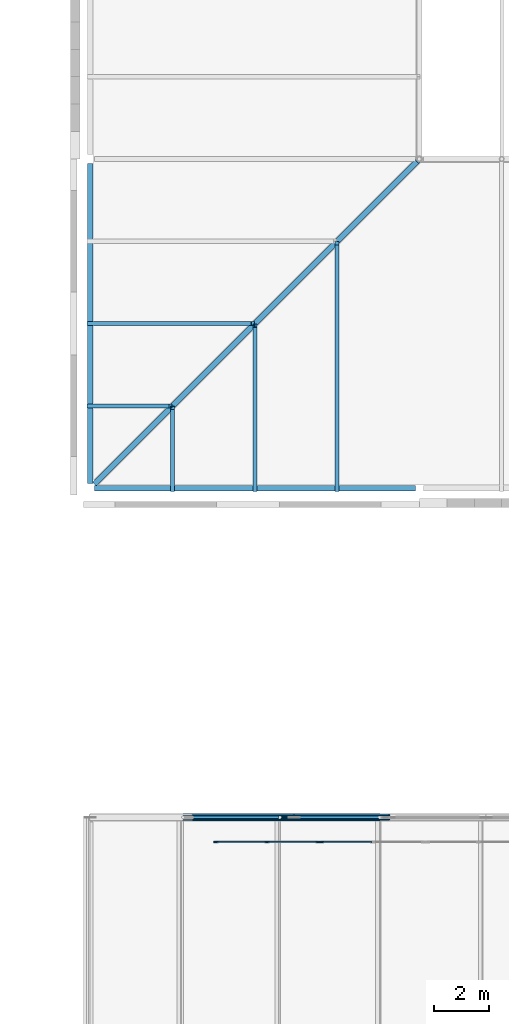
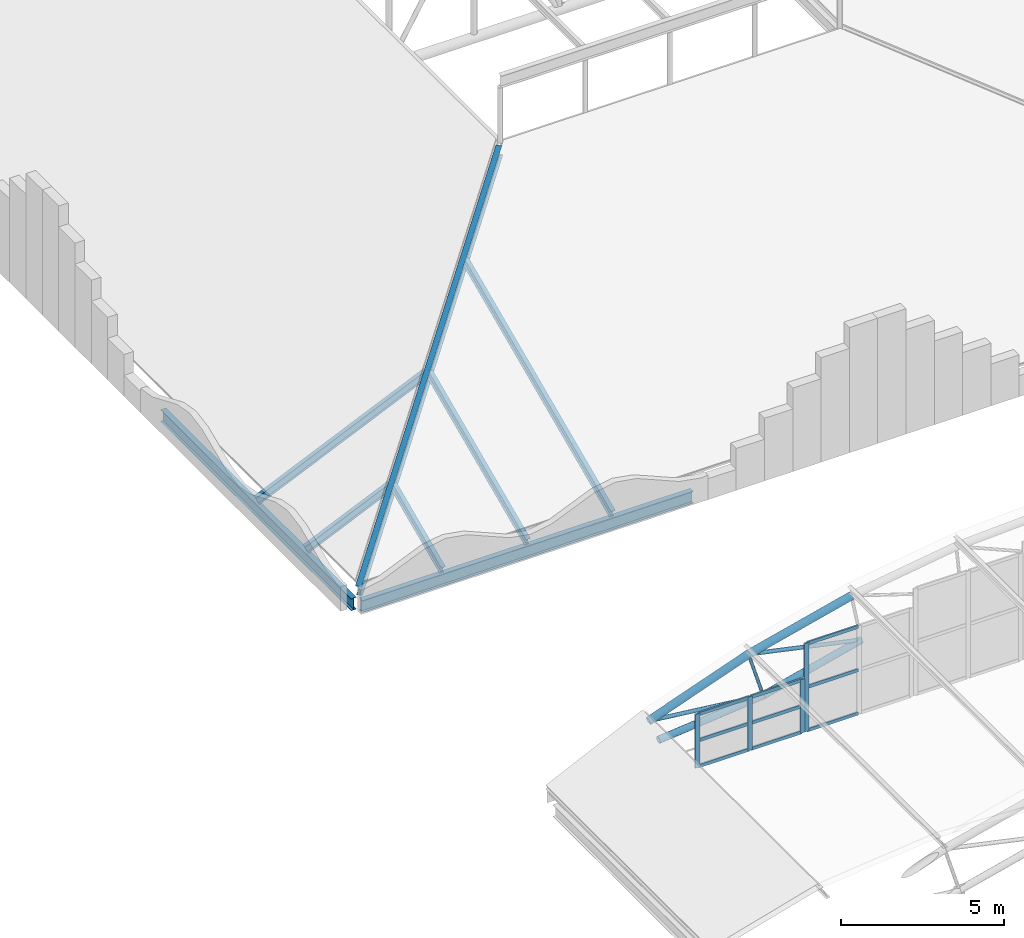
# One storey, part 217 of 321: 25 members, 3 beams, 2 elements without a shape of their own.
"""IFC4 building model written with IfcOpenShell, lengths in metres."""

from ifc_helpers import new_model, si_unit, direction, frame, origin, origin_2d, place, context, subcontext, project, spatial, rectangle, hollow_circle, i_section, extrude, material, layer, layer_set, material_profile, profile_set, type_object, element, aggregate, save


model = new_model("IFC4")

# Units and contexts
model_context = context("Model", 3, precision=1e-05, world=origin(), true_north=direction((0.0, 1.0)))
body_context = subcontext(model_context, "Body", "Model", "MODEL_VIEW")
ifc_project = project(units=[si_unit("LENGTHUNIT", "METRE"), si_unit("AREAUNIT", "SQUARE_METRE"), si_unit("VOLUMEUNIT", "CUBIC_METRE"), si_unit("PLANEANGLEUNIT", "RADIAN"), si_unit("MASSUNIT", "GRAM", prefix="KILO")], contexts=[model_context])

# Site, building, storey
site_placement = place(None, origin())
site = spatial("IfcSite", under=ifc_project, at=site_placement, CompositionType="ELEMENT")
building_placement = place(site_placement, origin())
building = spatial("IfcBuilding", under=site, at=building_placement, Name="Ravi Spectrum Wholesale Market", CompositionType="ELEMENT")
storey_placement = place(building_placement, frame((0.0, 0.0, 10.800048828125)))
storey = spatial("IfcBuildingStorey", under=building, at=storey_placement, Name="L02", CompositionType="ELEMENT", Elevation=10.800048828125)

# Members
ifc_material_1 = material(Name="Steel S355", Category="steel")
ifc_material_profile_1 = material_profile(ifc_material_1, hollow_circle(Radius=0.05712890625, WallThickness=0.00390625, at=origin_2d()))
ifc_profile_set_1 = profile_set([ifc_material_profile_1], Name="Steel S355")
member_type_1 = type_object("IfcMemberType", Name="CHS 114.3x4 post", PredefinedType="POST", material=ifc_profile_set_1)
member_1_placement = place(storey_placement, frame((168.916748046875, 186.0, 2.859130859375), z_axis=(0.28969871245, 0.0, -0.957117890338), x_axis=(0.0, 1.0, 0.0)))
element("IfcMember", 1, at=member_1_placement, inside=storey, type_object=member_type_1, Name="H3-MB-L02-182", PredefinedType="POST", context=body_context, shape_type="SweptSolid", body=[
    extrude(hollow_circle(Radius=0.05712890625, WallThickness=0.00390625, at=origin_2d()), origin(), (0.0, 0.0, 1.0), 1.800048828125),
])
ifc_material_2 = material(Name="Steel S355", Category="steel")
ifc_material_profile_2 = material_profile(ifc_material_2, hollow_circle(Radius=0.06982421875, WallThickness=0.0048828125, at=origin_2d()))
ifc_profile_set_2 = profile_set([ifc_material_profile_2], Name="Steel S355")
member_type_2 = type_object("IfcMemberType", Name="CHS 139.7x5 brace", PredefinedType="BRACE", material=ifc_profile_set_2)
for number, where, z_axis, x_axis, name in (
    (2, (165.38818359375, 186.0, 1.59912109375), (0.993531900469, 0.0, -0.113553347597), (0.0, 1.0, 0.0), "H3-MB-L02-190"),
    (3, (168.916748046875, 186.0, 2.859130859375), (0.977654929292, 0.0, -0.210216172618), (0.0, 1.0, 0.0), "H3-MB-L02-191"),
):
    element("IfcMember", number, at=place(storey_placement, frame(where, z_axis=z_axis, x_axis=x_axis)), inside=storey, type_object=member_type_2, Name=name, PredefinedType="BRACE", context=body_context, shape_type="SweptSolid", body=[
        extrude(hollow_circle(Radius=0.06982421875, WallThickness=0.0048828125, at=origin_2d()), origin(), (0.0, 0.0, 1.0), 4.076416015625),
    ])
ifc_material_3 = material(Name="Steel S355", Category="steel")
ifc_material_profile_3 = material_profile(ifc_material_3, hollow_circle(Radius=0.122314453125, WallThickness=0.008056640625, at=origin_2d()))
ifc_profile_set_3 = profile_set([ifc_material_profile_3], Name="Steel S355")
member_type_3 = type_object("IfcMemberType", Name="CHS 244.5x8 chord", PredefinedType="CHORD", material=ifc_profile_set_3)
member_2_placement = place(storey_placement, frame((165.732177734375, 186.0, 0.767333984375), z_axis=(0.995082518714, 0.0, 0.099049386415), x_axis=(0.0, 1.0, 0.0)))
element("IfcMember", 4, at=member_2_placement, inside=storey, type_object=member_type_3, Name="H3-MB-L02-172", PredefinedType="CHORD", context=body_context, shape_type="SweptSolid", body=[
    extrude(hollow_circle(Radius=0.122314453125, WallThickness=0.008056640625, at=origin_2d()), origin(), (0.0, 0.0, 1.0), 3.724365234375),
])
member_3_placement = place(storey_placement, frame((169.438232421875, 186.0, 1.13623046875), z_axis=(0.970142500145, 0.0, 0.242535625036), x_axis=(0.0, 1.0, 0.0)))
element("IfcMember", 5, at=member_3_placement, inside=storey, type_object=member_type_3, Name="H3-MB-L02-173", PredefinedType="CHORD", context=body_context, shape_type="SweptSolid", body=[
    extrude(hollow_circle(Radius=0.122314453125, WallThickness=0.008056640625, at=origin_2d()), origin(), (0.0, 0.0, 1.0), 3.570556640625),
])
ifc_material_4 = material(Name="Steel S355", Category="steel")
ifc_material_profile_4 = material_profile(ifc_material_4, hollow_circle(Radius=0.136474609375, WallThickness=0.010009765625, at=origin_2d()))
ifc_profile_set_4 = profile_set([ifc_material_profile_4], Name="Steel S355")
member_type_4 = type_object("IfcMemberType", Name="CHS 273x10 chord", PredefinedType="CHORD", material=ifc_profile_set_4)
member_4_placement = place(storey_placement, frame((165.38818359375, 186.0, 1.59912109375), z_axis=(0.941758126801, 0.0, 0.336290990965), x_axis=(0.0, 1.0, 0.0)))
element("IfcMember", 6, at=member_4_placement, inside=storey, type_object=member_type_4, Name="H3-MB-L02-162", PredefinedType="CHORD", context=body_context, shape_type="SweptSolid", body=[
    extrude(hollow_circle(Radius=0.136474609375, WallThickness=0.010009765625, at=origin_2d()), origin(), (0.0, 0.0, 1.0), 3.746826171875),
])
member_5_placement = place(storey_placement, frame((168.916748046875, 186.0, 2.859130859375), z_axis=(0.970142500145, 0.0, 0.242535625036), x_axis=(0.0, 1.0, 0.0)))
element("IfcMember", 7, at=member_5_placement, inside=storey, type_object=member_type_4, Name="H3-MB-L02-163", PredefinedType="CHORD", context=body_context, shape_type="SweptSolid", body=[
    extrude(hollow_circle(Radius=0.136474609375, WallThickness=0.010009765625, at=origin_2d()), origin(), (0.0, 0.0, 1.0), 3.74658203125),
])
ifc_material_5 = material(Name="Steel S355", Category="steel")
ifc_material_profile_5 = material_profile(ifc_material_5, i_section(OverallWidth=0.14990234375, OverallDepth=0.300048828125, WebThickness=0.007080078125, FlangeThickness=0.0107421875, at=origin_2d()))
ifc_profile_set_5 = profile_set([ifc_material_profile_5], Name="Steel S355")
member_type_5 = type_object("IfcMemberType", Name="IPE 300 rafter", PredefinedType="RAFTER", material=ifc_profile_set_5)
member_6_placement = place(storey_placement, frame((161.93896484375, 201.0, 0.136962890625), z_axis=(0.913620578719, 0.0, 0.406567876426), x_axis=(0.0, 1.0, 0.0)))
element("IfcMember", 8, at=member_6_placement, inside=storey, type_object=member_type_5, Name="AU-MB-L02-037", PredefinedType="RAFTER", context=body_context, shape_type="SweptSolid", body=[
    extrude(i_section(OverallWidth=0.14990234375, OverallDepth=0.300048828125, WebThickness=0.007080078125, FlangeThickness=0.0107421875, at=origin_2d()), origin(), (0.0, 0.0, 1.0), 3.270263671875),
])
member_7_placement = place(storey_placement, frame((161.93896484375, 204.0, 0.136962890625), z_axis=(0.913624043006, 0.0, 0.40656009155), x_axis=(0.0, 1.0, 0.0)))
element("IfcMember", 9, at=member_7_placement, inside=storey, type_object=member_type_5, Name="AU-MB-L02-039", PredefinedType="RAFTER", context=body_context, shape_type="SweptSolid", body=[
    extrude(i_section(OverallWidth=0.14990234375, OverallDepth=0.300048828125, WebThickness=0.007080078125, FlangeThickness=0.0107421875, at=origin_2d()), origin(), (0.0, 0.0, 1.0), 6.553955078125),
])
member_8_placement = place(storey_placement, frame((165.0, 197.93896484375, 0.136962890625), z_axis=(0.0, 0.913620578719, 0.406567876426), x_axis=(-1.0, 0.0, 0.0)))
element("IfcMember", 10, at=member_8_placement, inside=storey, type_object=member_type_5, Name="AU-MB-L02-055", PredefinedType="RAFTER", context=body_context, shape_type="SweptSolid", body=[
    extrude(i_section(OverallWidth=0.14990234375, OverallDepth=0.300048828125, WebThickness=0.007080078125, FlangeThickness=0.0107421875, at=origin_2d()), origin(), (0.0, 0.0, 1.0), 3.270263671875),
])
member_9_placement = place(storey_placement, frame((168.0, 197.93896484375, 0.136962890625), z_axis=(0.0, 0.913624043006, 0.40656009155), x_axis=(-1.0, 0.0, 0.0)))
element("IfcMember", 11, at=member_9_placement, inside=storey, type_object=member_type_5, Name="AU-MB-L02-057", PredefinedType="RAFTER", context=body_context, shape_type="SweptSolid", body=[
    extrude(i_section(OverallWidth=0.14990234375, OverallDepth=0.300048828125, WebThickness=0.007080078125, FlangeThickness=0.0107421875, at=origin_2d()), origin(), (0.0, 0.0, 1.0), 6.553955078125),
])
member_10_placement = place(storey_placement, frame((171.0, 197.93896484375, 0.136962890625), z_axis=(0.0, 0.913615976302, 0.406578218606), x_axis=(-1.0, 0.0, 0.0)))
element("IfcMember", 12, at=member_10_placement, inside=storey, type_object=member_type_5, Name="AU-MB-L02-059", PredefinedType="RAFTER", context=body_context, shape_type="SweptSolid", body=[
    extrude(i_section(OverallWidth=0.14990234375, OverallDepth=0.300048828125, WebThickness=0.007080078125, FlangeThickness=0.0107421875, at=origin_2d()), origin(), (0.0, 0.0, 1.0), 9.837646484375),
])

# Beams
ifc_material_6 = material(Name="Steel S355", Category="steel")
ifc_material_profile_6 = material_profile(ifc_material_6, i_section(OverallWidth=0.18994140625, OverallDepth=0.449951171875, WebThickness=0.009521484375, FlangeThickness=0.0146484375, at=origin_2d()))
ifc_profile_set_6 = profile_set([ifc_material_profile_6], Name="Steel S355")
beam_type = type_object("IfcBeamType", Name="IPE 450 girder", PredefinedType="BEAM", material=ifc_profile_set_6)
beam_1_placement = place(storey_placement, frame((162.14990234375, 198.0, -0.22509765625), z_axis=(1.0, 0.0, 0.0), x_axis=(0.0, 1.0, 0.0)))
element("IfcBeam", 13, at=beam_1_placement, inside=storey, type_object=beam_type, Name="AU-BM-L02-001", PredefinedType="BEAM", context=body_context, shape_type="SweptSolid", body=[
    extrude(i_section(OverallWidth=0.18994140625, OverallDepth=0.449951171875, WebThickness=0.009521484375, FlangeThickness=0.0146484375, at=origin_2d()), origin(), (0.0, 0.0, 1.0), 11.7001953125),
])
beam_2_placement = place(storey_placement, frame((162.0, 198.169921875, -0.22509765625), z_axis=(0.0, 1.0, 0.0), x_axis=(-1.0, 0.0, 0.0)))
element("IfcBeam", 14, at=beam_2_placement, inside=storey, type_object=beam_type, Name="AU-BM-L02-010", PredefinedType="BEAM", context=body_context, shape_type="SweptSolid", body=[
    extrude(i_section(OverallWidth=0.18994140625, OverallDepth=0.449951171875, WebThickness=0.009521484375, FlangeThickness=0.0146484375, at=origin_2d()), origin(), (0.0, 0.0, 1.0), 11.66015625),
])
beam_3_placement = place(storey_placement, frame((162.19775390625, 198.19775390625, 0.180419921875), z_axis=(0.674499456872, 0.674499456872, 0.300168228429), x_axis=(-0.707106781187, 0.707106781187, 0.0)))
element("IfcBeam", 15, at=beam_3_placement, inside=storey, type_object=beam_type, Name="AU-BM-L02-016", PredefinedType="BEAM", context=body_context, shape_type="SweptSolid", body=[
    extrude(i_section(OverallWidth=0.18994140625, OverallDepth=0.449951171875, WebThickness=0.009521484375, FlangeThickness=0.0146484375, at=origin_2d()), origin(), (0.0, 0.0, 1.0), 17.427490234375),
])

# Curtain wall, members
ifc_material_7 = material(Name="Aluminium 6063-T6", Category="aluminium")
ifc_layer = layer(ifc_material_7, 0.14990234375)
ifc_layer_set = layer_set([ifc_layer], Name="Aluminium 6063-T6")
curtain_wall_type = type_object("IfcCurtainWallType", Name="Curtain wall 150", PredefinedType="NOTDEFINED", material=ifc_layer_set)
curtain_wall_1_placement = place(storey_placement, origin())
curtain_wall_1 = element("IfcCurtainWall", 16, at=curtain_wall_1_placement, inside=storey, type_object=curtain_wall_type, Name="H3-CW-L02-008", PredefinedType="NOTDEFINED")
ifc_material_8 = material(Name="Aluminium 6063-T6", Category="aluminium")
ifc_material_profile_7 = material_profile(ifc_material_8, rectangle(XDim=0.06005859375, YDim=0.159912109375, at=origin_2d()))
ifc_profile_set_7 = profile_set([ifc_material_profile_7], Name="Aluminium 6063-T6")
member_type_6 = type_object("IfcMemberType", Name="Mullion 60 x 160", PredefinedType="MULLION", material=ifc_profile_set_7)
member_11_placement = place(storey_placement, frame((166.58154296875, 185.10009765625, 0.0), z_axis=(0.0, 0.0, 1.0), x_axis=(0.0, 1.0, 0.0)))
member_11 = element("IfcMember", 17, at=member_11_placement, type_object=member_type_6, Name="H3-CW-L02-008 mullion 1", PredefinedType="MULLION", context=body_context, shape_type="SweptSolid", body=[
    extrude(rectangle(XDim=0.06005859375, YDim=0.159912109375, at=origin_2d()), origin(), (0.0, 0.0, 1.0), 2.0),
])
member_12_placement = place(storey_placement, frame((168.4384765625, 185.10009765625, 0.0), z_axis=(0.0, 0.0, 1.0), x_axis=(0.0, 1.0, 0.0)))
member_12 = element("IfcMember", 18, at=member_12_placement, type_object=member_type_6, Name="H3-CW-L02-008 mullion 2", PredefinedType="MULLION", context=body_context, shape_type="SweptSolid", body=[
    extrude(rectangle(XDim=0.06005859375, YDim=0.159912109375, at=origin_2d()), origin(), (0.0, 0.0, 1.0), 2.0),
])
member_13_placement = place(storey_placement, frame((170.29541015625, 185.10009765625, 0.0), z_axis=(0.0, 0.0, 1.0), x_axis=(0.0, 1.0, 0.0)))
member_13 = element("IfcMember", 19, at=member_13_placement, type_object=member_type_6, Name="H3-CW-L02-008 mullion 3", PredefinedType="MULLION", context=body_context, shape_type="SweptSolid", body=[
    extrude(rectangle(XDim=0.06005859375, YDim=0.159912109375, at=origin_2d()), origin(), (0.0, 0.0, 1.0), 2.0),
])

# Curtain wall, member
curtain_wall_2_placement = place(storey_placement, origin())
curtain_wall_2 = element("IfcCurtainWall", 20, at=curtain_wall_2_placement, inside=storey, type_object=curtain_wall_type, Name="H3-CW-L02-009", PredefinedType="NOTDEFINED")
member_14_placement = place(storey_placement, frame((170.435546875, 185.10009765625, 0.0), z_axis=(0.0, 0.0, 1.0), x_axis=(0.0, 1.0, 0.0)))
member_14 = element("IfcMember", 21, at=member_14_placement, type_object=member_type_6, Name="H3-CW-L02-009 mullion 1", PredefinedType="MULLION", context=body_context, shape_type="SweptSolid", body=[
    extrude(rectangle(XDim=0.06005859375, YDim=0.159912109375, at=origin_2d()), origin(), (0.0, 0.0, 1.0), 3.300048828125),
])

# Member
ifc_material_9 = material(Name="Aluminium 6063-T6", Category="aluminium")
ifc_material_profile_8 = material_profile(ifc_material_9, rectangle(XDim=0.06005859375, YDim=0.1201171875, at=origin_2d()))
ifc_profile_set_8 = profile_set([ifc_material_profile_8], Name="Aluminium 6063-T6")
member_type_7 = type_object("IfcMemberType", Name="Transom 60 x 120", PredefinedType="USERDEFINED", material=ifc_profile_set_8)
member_15_placement = place(storey_placement, frame((166.611572265625, 185.10009765625, 0.030029296875), z_axis=(1.0, 0.0, 0.0), x_axis=(0.0, 1.0, 0.0)))
member_15 = element("IfcMember", 22, at=member_15_placement, type_object=member_type_7, Name="H3-CW-L02-008 transom 1.1", ObjectType="TRANSOM", PredefinedType="USERDEFINED", context=body_context, shape_type="SweptSolid", body=[
    extrude(rectangle(XDim=0.06005859375, YDim=0.1201171875, at=origin_2d()), origin(), (0.0, 0.0, 1.0), 1.796875),
])

member_16_placement = place(storey_placement, frame((166.611572265625, 185.10009765625, 1.0), z_axis=(1.0, 0.0, 0.0), x_axis=(0.0, 1.0, 0.0)))
member_16 = element("IfcMember", 23, at=member_16_placement, type_object=member_type_7, Name="H3-CW-L02-008 transom 1.2", ObjectType="TRANSOM", PredefinedType="USERDEFINED", context=body_context, shape_type="SweptSolid", body=[
    extrude(rectangle(XDim=0.06005859375, YDim=0.1201171875, at=origin_2d()), origin(), (0.0, 0.0, 1.0), 1.796875),
])

member_17_placement = place(storey_placement, frame((166.611572265625, 185.10009765625, 1.969970703125), z_axis=(1.0, 0.0, 0.0), x_axis=(0.0, 1.0, 0.0)))
member_17 = element("IfcMember", 24, at=member_17_placement, type_object=member_type_7, Name="H3-CW-L02-008 transom 1.3", ObjectType="TRANSOM", PredefinedType="USERDEFINED", context=body_context, shape_type="SweptSolid", body=[
    extrude(rectangle(XDim=0.06005859375, YDim=0.1201171875, at=origin_2d()), origin(), (0.0, 0.0, 1.0), 1.796875),
])

member_18_placement = place(storey_placement, frame((168.468505859375, 185.10009765625, 0.030029296875), z_axis=(1.0, 0.0, 0.0), x_axis=(0.0, 1.0, 0.0)))
member_18 = element("IfcMember", 25, at=member_18_placement, type_object=member_type_7, Name="H3-CW-L02-008 transom 2.1", ObjectType="TRANSOM", PredefinedType="USERDEFINED", context=body_context, shape_type="SweptSolid", body=[
    extrude(rectangle(XDim=0.06005859375, YDim=0.1201171875, at=origin_2d()), origin(), (0.0, 0.0, 1.0), 1.796875),
])

member_19_placement = place(storey_placement, frame((168.468505859375, 185.10009765625, 1.0), z_axis=(1.0, 0.0, 0.0), x_axis=(0.0, 1.0, 0.0)))
member_19 = element("IfcMember", 26, at=member_19_placement, type_object=member_type_7, Name="H3-CW-L02-008 transom 2.2", ObjectType="TRANSOM", PredefinedType="USERDEFINED", context=body_context, shape_type="SweptSolid", body=[
    extrude(rectangle(XDim=0.06005859375, YDim=0.1201171875, at=origin_2d()), origin(), (0.0, 0.0, 1.0), 1.796875),
])

member_20_placement = place(storey_placement, frame((168.468505859375, 185.10009765625, 1.969970703125), z_axis=(1.0, 0.0, 0.0), x_axis=(0.0, 1.0, 0.0)))
member_20 = element("IfcMember", 27, at=member_20_placement, type_object=member_type_7, Name="H3-CW-L02-008 transom 2.3", ObjectType="TRANSOM", PredefinedType="USERDEFINED", context=body_context, shape_type="SweptSolid", body=[
    extrude(rectangle(XDim=0.06005859375, YDim=0.1201171875, at=origin_2d()), origin(), (0.0, 0.0, 1.0), 1.796875),
])

aggregate(curtain_wall_1, [member_11, member_12, member_13, member_15, member_16, member_17, member_18, member_19, member_20])

member_21_placement = place(storey_placement, frame((170.46533203125, 185.10009765625, 0.030029296875), z_axis=(1.0, 0.0, 0.0), x_axis=(0.0, 1.0, 0.0)))
member_21 = element("IfcMember", 28, at=member_21_placement, type_object=member_type_7, Name="H3-CW-L02-009 transom 1.1", ObjectType="TRANSOM", PredefinedType="USERDEFINED", context=body_context, shape_type="SweptSolid", body=[
    extrude(rectangle(XDim=0.06005859375, YDim=0.1201171875, at=origin_2d()), origin(), (0.0, 0.0, 1.0), 1.797119140625),
])

member_22_placement = place(storey_placement, frame((170.46533203125, 185.10009765625, 1.64990234375), z_axis=(1.0, 0.0, 0.0), x_axis=(0.0, 1.0, 0.0)))
member_22 = element("IfcMember", 29, at=member_22_placement, type_object=member_type_7, Name="H3-CW-L02-009 transom 1.2", ObjectType="TRANSOM", PredefinedType="USERDEFINED", context=body_context, shape_type="SweptSolid", body=[
    extrude(rectangle(XDim=0.06005859375, YDim=0.1201171875, at=origin_2d()), origin(), (0.0, 0.0, 1.0), 1.797119140625),
])

member_23_placement = place(storey_placement, frame((170.46533203125, 185.10009765625, 3.27001953125), z_axis=(1.0, 0.0, 0.0), x_axis=(0.0, 1.0, 0.0)))
member_23 = element("IfcMember", 30, at=member_23_placement, type_object=member_type_7, Name="H3-CW-L02-009 transom 1.3", ObjectType="TRANSOM", PredefinedType="USERDEFINED", context=body_context, shape_type="SweptSolid", body=[
    extrude(rectangle(XDim=0.06005859375, YDim=0.1201171875, at=origin_2d()), origin(), (0.0, 0.0, 1.0), 1.797119140625),
])

aggregate(curtain_wall_2, [member_14, member_21, member_22, member_23])

save(model, "model.ifc")
